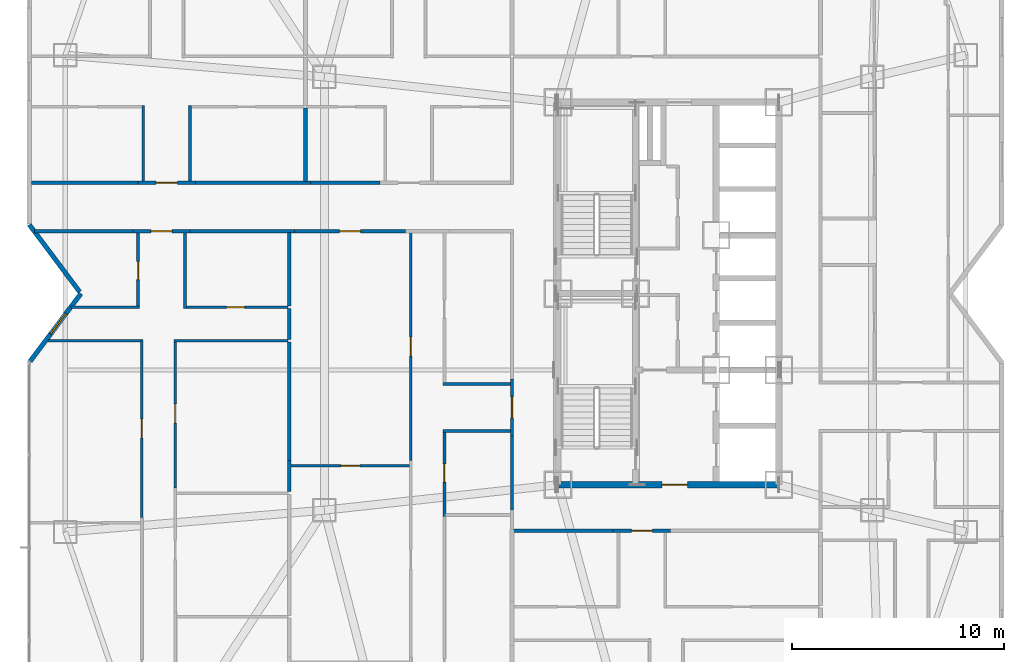
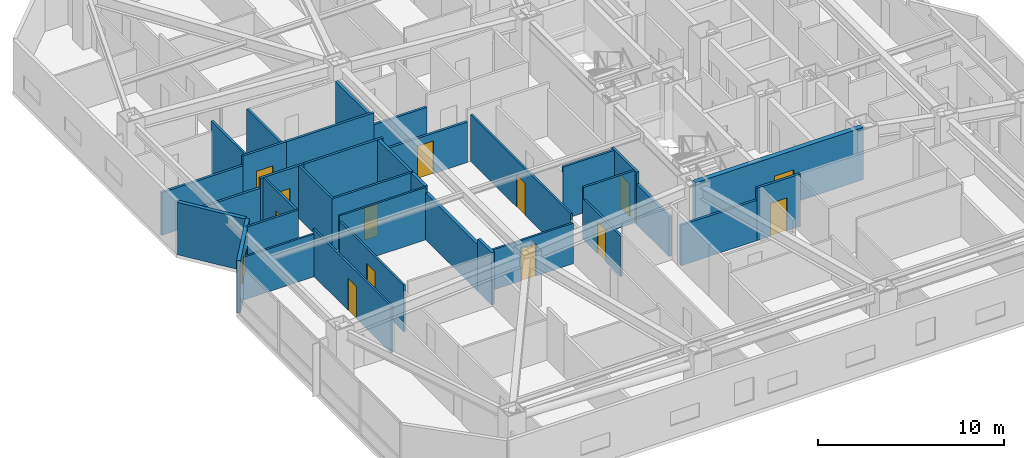
# One storey, part 12 of 18: 35 walls, 13 doors, 1 window, 14 openings.
"""IFC4 building model written with IfcOpenShell, lengths in metres."""

import ifcopenshell
import ifcopenshell.guid

model = None  # the IFC model being written
_history = None  # IfcOwnerHistory: only IFC2X3 demands one
_inside = {}  # id of a spatial element -> (the spatial element, [elements in it])
_under = {}  # id of a project, library or spatial element -> (it, [spatial elements below it])
_declared = {}  # id of a project -> (the project, [libraries it declares])
_typed = {}  # id of a type object -> (the type object, [elements of that type])
_made_of = {}  # id of a material, layer set ... -> (it, [elements and type objects made of it])


def new_model(schema):
    """Start an empty IFC model of exactly this schema.

    Asked for "IFC4X3", IfcOpenShell would pick the latest addendum, in which some entities
    have other attributes; the version numbers below select the first issue.
    IFC2X3 requires an IfcOwnerHistory on every rooted entity: one is made here for all.
    """
    global model, _history
    if schema == "IFC4X3":
        model = ifcopenshell.file(schema_version=(4, 3, 0, 0))
    else:
        model = ifcopenshell.file(schema=schema)
    _inside.clear()
    _under.clear()
    _declared.clear()
    _typed.clear()
    _made_of.clear()
    _history = None
    if model.schema == "IFC2X3":
        org = make("IfcOrganization", Name="unknown")
        user = make(
            "IfcPersonAndOrganization",
            ThePerson=make("IfcPerson", FamilyName="unknown"),
            TheOrganization=org,
        )
        app = make(
            "IfcApplication",
            ApplicationDeveloper=org,
            Version="unknown",
            ApplicationFullName="unknown",
            ApplicationIdentifier="unknown",
        )
        _history = make(
            "IfcOwnerHistory",
            OwningUser=user,
            OwningApplication=app,
            ChangeAction="ADDED",
            CreationDate=0,
        )
    return model


def make(cls, **values):
    """One entity of the class cls with the attributes given. An attribute that is None is left unset."""
    return model.create_entity(
        cls, **{name: value for name, value in values.items() if value is not None}
    )


def rooted(cls, **values):
    """An entity with a GlobalId (a new one), such as an element, a storey or a relation."""
    return make(cls, GlobalId=ifcopenshell.guid.new(), OwnerHistory=_history, **values)


def si_unit(unit_type, name, prefix=None):
    """IfcSIUnit, for example si_unit("LENGTHUNIT", "METRE", prefix="MILLI")."""
    return make("IfcSIUnit", UnitType=unit_type, Prefix=prefix, Name=name)


def assignment(units):
    """IfcUnitAssignment: the units of a project."""
    return None if units is None else make("IfcUnitAssignment", Units=units)


def point(xyz):
    """IfcCartesianPoint."""
    return None if xyz is None else make("IfcCartesianPoint", Coordinates=xyz)


def direction(xyz):
    """IfcDirection."""
    return None if xyz is None else make("IfcDirection", DirectionRatios=xyz)


def frame(location, z_axis=None, x_axis=None):
    """IfcAxis2Placement3D, a coordinate frame: its origin and axes. An axis left out is left unset."""
    return make(
        "IfcAxis2Placement3D",
        Location=point(location),
        Axis=direction(z_axis),
        RefDirection=direction(x_axis),
    )


def frame_2d(location, x_axis=None):
    """IfcAxis2Placement2D, a coordinate frame in the plane: its origin and x axis."""
    return make(
        "IfcAxis2Placement2D", Location=point(location), RefDirection=direction(x_axis)
    )


def origin():
    """The frame at (0, 0, 0) with its axes left unset."""
    return frame((0.0, 0.0, 0.0))


def place(relative_to, where):
    """IfcLocalPlacement: puts the frame where relative to a parent placement (None: the world)."""
    return make(
        "IfcLocalPlacement", PlacementRelTo=relative_to, RelativePlacement=where
    )


def context(
    kind, dimensions, precision=None, world=None, true_north=None, identifier=None
):
    """IfcGeometricRepresentationContext, for example the 3D "Model" context."""
    return make(
        "IfcGeometricRepresentationContext",
        ContextIdentifier=identifier,
        ContextType=kind,
        CoordinateSpaceDimension=dimensions,
        Precision=precision,
        WorldCoordinateSystem=world,
        TrueNorth=true_north,
    )


def subcontext(parent, identifier, kind, view, scale=None):
    """IfcGeometricRepresentationSubContext, for example "Body" below "Model"."""
    return make(
        "IfcGeometricRepresentationSubContext",
        ContextIdentifier=identifier,
        ContextType=kind,
        ParentContext=parent,
        TargetScale=scale,
        TargetView=view,
    )


def project(units=None, contexts=None):
    """IfcProject with its units and contexts."""
    return rooted(
        "IfcProject",
        Name="project",
        RepresentationContexts=contexts,
        UnitsInContext=assignment(units),
    )


def spatial(cls, under=None, at=None, **own):
    """A site, building, storey or space (cls), placed at a placement, below another one or the project."""
    s = rooted(cls, ObjectPlacement=at, **own)
    if under is not None:
        _under.setdefault(under.id(), (under, []))[1].append(s)
    return s


def profile(cls, at=None, kind="AREA", **sizes):
    """A parametric profile (cls). Its sizes go by their IFC names, for example OverallWidth=200.0."""
    return make(cls, ProfileType=kind, Position=at, **sizes)


def rectangle(**sizes):
    """IfcRectangleProfileDef."""
    return profile("IfcRectangleProfileDef", **sizes)


def extrude(swept, where, along, depth):
    """IfcExtrudedAreaSolid: the profile swept, set in the frame where, extruded along a direction by depth."""
    return make(
        "IfcExtrudedAreaSolid",
        SweptArea=swept,
        Position=where,
        ExtrudedDirection=direction(along),
        Depth=depth,
    )


def shape(context_of_items, identifier, shape_type, items):
    """IfcShapeRepresentation: the items that make up one representation, for example the "Body"."""
    return make(
        "IfcShapeRepresentation",
        ContextOfItems=context_of_items,
        RepresentationIdentifier=identifier,
        RepresentationType=shape_type,
        Items=items,
    )


def material(Name=None, Category=None):
    """IfcMaterial."""
    return make("IfcMaterial", Name=Name, Category=Category)


def layer(
    of_material, thickness, ventilated=None, Name=None, Category=None, Priority=None
):
    """IfcMaterialLayer: one layer of a wall or slab, of a material (None: an air gap)."""
    return make(
        "IfcMaterialLayer",
        Material=of_material,
        LayerThickness=thickness,
        IsVentilated=ventilated,
        Name=Name,
        Category=Category,
        Priority=Priority,
    )


def layer_set(layers, Name=None):
    """IfcMaterialLayerSet."""
    return make("IfcMaterialLayerSet", MaterialLayers=layers, LayerSetName=Name)


def made_of(thing, what):
    """Note that an element or type object is made of a material, layer set ...; save() writes the relation."""
    if what is not None:
        _made_of.setdefault(what.id(), (what, []))[1].append(thing)
    return thing


def type_object(cls, material=None, **own):
    """A type object (cls), such as IfcWallType, which elements share."""
    return made_of(rooted(cls, **own), material)


def element(
    cls,
    number,
    at=None,
    inside=None,
    cuts=None,
    type_object=None,
    material=None,
    context=None,
    identifier="Body",
    shape_type=None,
    held_by="IfcProductDefinitionShape",
    body=None,
    shapes=None,
    **own,
):
    """One element of the class cls, such as IfcWall. Its Tag is "e" and its number.

    at: its placement. inside: the storey or other place that contains it. cuts: it is an
    opening in that element (IfcRelVoidsElement). A single representation is given by context,
    identifier, shape_type and body (its items); several are given by shapes. held_by: the class
    of the entity that holds the representations. save() writes the other relations.
    """
    e = rooted(cls, Tag="e%d" % number, ObjectPlacement=at, **own)
    if body is not None:
        shapes = [shape(context, identifier, shape_type, body)]
    if shapes is not None:
        e.Representation = make(held_by, Representations=shapes)
    if inside is not None:
        _inside.setdefault(inside.id(), (inside, []))[1].append(e)
    if cuts is not None:
        rooted(
            "IfcRelVoidsElement", RelatingBuildingElement=cuts, RelatedOpeningElement=e
        )
    if type_object is not None:
        _typed.setdefault(type_object.id(), (type_object, []))[1].append(e)
    return made_of(e, material)


def fill(opening, filler):
    """IfcRelFillsElement: the door or window that sits in an opening."""
    return rooted(
        "IfcRelFillsElement",
        RelatingOpeningElement=opening,
        RelatedBuildingElement=filler,
    )


def aggregate(whole, parts):
    """IfcRelAggregates: a whole, such as a stair, and the parts it consists of."""
    return rooted("IfcRelAggregates", RelatingObject=whole, RelatedObjects=parts)


def save(model, path):
    """Write the relations noted so far, then the file.

    IfcRelAggregates (storeys below a building ...), IfcRelContainedInSpatialStructure (elements
    in a storey), IfcRelDefinesByType, IfcRelAssociatesMaterial and IfcRelDeclares: one each for
    every whole, place, type object, material and project.
    """
    for whole, parts in _under.values():
        aggregate(whole, parts)
    for where, things in _inside.values():
        rooted(
            "IfcRelContainedInSpatialStructure",
            RelatedElements=things,
            RelatingStructure=where,
        )
    for kind, things in _typed.values():
        rooted("IfcRelDefinesByType", RelatedObjects=things, RelatingType=kind)
    for what, things in _made_of.values():
        rooted("IfcRelAssociatesMaterial", RelatedObjects=things, RelatingMaterial=what)
    for by, libraries in _declared.values():
        rooted("IfcRelDeclares", RelatingContext=by, RelatedDefinitions=libraries)
    model.write(path)


model = new_model("IFC4")

# Units and contexts
model_context = context("Model", 3, precision=1e-05, world=origin(), true_north=direction((0.0, 1.0)))
body_context = subcontext(model_context, "Body", "Model", "MODEL_VIEW")
ifc_project = project(units=[si_unit("LENGTHUNIT", "METRE"), si_unit("AREAUNIT", "SQUARE_METRE"), si_unit("VOLUMEUNIT", "CUBIC_METRE"), si_unit("PLANEANGLEUNIT", "RADIAN"), si_unit("MASSUNIT", "GRAM", prefix="KILO")], contexts=[model_context])

# Site, building, storey
site_placement = place(None, origin())
site = spatial("IfcSite", under=ifc_project, at=site_placement, CompositionType="ELEMENT")
building_placement = place(site_placement, origin())
building = spatial("IfcBuilding", under=site, at=building_placement, Name="Khamvora Tower", CompositionType="ELEMENT")
storey_placement = place(building_placement, frame((0.0, 0.0, 47.89990234375)))
storey = spatial("IfcBuildingStorey", under=building, at=storey_placement, Name="L11", CompositionType="ELEMENT", Elevation=47.89990234375)

# Wall, opening, door
ifc_material_1 = material(Name="Concrete C50/60", Category="concrete")
ifc_layer_1 = layer(ifc_material_1, 0.300048828125)
ifc_layer_set_1 = layer_set([ifc_layer_1], Name="Concrete C50/60")
wall_type_1 = type_object("IfcWallType", Name="WAL-CORE-300", PredefinedType="SHEAR", material=ifc_layer_set_1)
wall_1_placement = place(storey_placement, frame((29.0, 19.0, 0.0), z_axis=(0.0, 0.0, 1.0), x_axis=(1.0, 0.0, 0.0)))
wall_1 = element("IfcWall", 1, at=wall_1_placement, inside=storey, type_object=wall_type_1, Name="L11 central core south wall", PredefinedType="SHEAR", context=body_context, shape_type="SweptSolid", body=[
    extrude(rectangle(XDim=10.39990234375, YDim=0.300048828125, at=frame_2d((5.199951171875, 0.0))), origin(), (0.0, 0.0, 1.0), 3.43017578125),
])
opening_1_placement = place(wall_1_placement, frame((4.89990234375, 0.0, 0.0)))
opening_1 = element("IfcOpeningElement", 2, at=opening_1_placement, cuts=wall_1, Name="Opening D-CR1", PredefinedType="OPENING", context=body_context, shape_type="SweptSolid", body=[
    extrude(rectangle(XDim=1.199951171875, YDim=2.14990234375, at=frame_2d((0.60009765625, 1.074951171875))), frame((0.0, 0.159912109375, 0.0), z_axis=(0.0, -1.0, 0.0), x_axis=(1.0, 0.0, 0.0)), (0.0, 0.0, 1.0), 0.320068359375),
])
ifc_material_2 = material(Name="Powder-Coated Steel and Hardwood Leaf", Category="steel")
door_type_1 = type_object("IfcDoorType", Name="DOR-CORR-1200", OperationType="NOTDEFINED", PredefinedType="DOOR", material=ifc_material_2)
door_1_placement = place(opening_1_placement, origin())
door_1 = element("IfcDoor", 3, at=door_1_placement, inside=storey, type_object=door_type_1, Name="L11 south core lobby to corridor fire door", OperationType="SINGLE_SWING_RIGHT", OverallHeight=2.14990234375, OverallWidth=1.199951171875, PredefinedType="DOOR", context=body_context, shape_type="SweptSolid", body=[
    extrude(rectangle(XDim=1.199951171875, YDim=2.14990234375, at=frame_2d((0.60009765625, 1.074951171875))), frame((0.0, 0.02490234375, 0.0), z_axis=(0.0, -1.0, 0.0), x_axis=(1.0, 0.0, 0.0)), (0.0, 0.0, 1.0), 0.050048828125),
])
fill(opening_1, door_1)

ifc_material_3 = material(Name="Fire-Rated Drywall and Steel Stud", Category="steel")
ifc_layer_2 = layer(ifc_material_3, 0.14990234375)
ifc_layer_set_2 = layer_set([ifc_layer_2], Name="Fire-Rated Drywall and Steel Stud")
wall_type_2 = type_object("IfcWallType", Name="WAL-CORR-150", PredefinedType="STANDARD", material=ifc_layer_set_2)
wall_2_placement = place(storey_placement, frame((11.681884765625, 30.93505859375, 0.0), z_axis=(0.0, 0.0, 1.0), x_axis=(-1.0, 0.0, 0.0)))
wall_2 = element("IfcWall", 4, at=wall_2_placement, inside=storey, type_object=wall_type_2, Name="L11 interior partition wall 006", PredefinedType="STANDARD", context=body_context, shape_type="SweptSolid", body=[
    extrude(rectangle(XDim=2.697998046875, YDim=0.14990234375, at=frame_2d((1.34912109375, 0.0))), origin(), (0.0, 0.0, 1.0), 3.43017578125),
])
opening_2_placement = place(wall_2_placement, frame((0.84912109375, 0.0, 0.0)))
opening_2 = element("IfcOpeningElement", 5, at=opening_2_placement, cuts=wall_2, Name="Opening D-U1", PredefinedType="OPENING", context=body_context, shape_type="SweptSolid", body=[
    extrude(rectangle(XDim=1.0, YDim=2.14990234375, at=frame_2d((0.5, 1.074951171875))), frame((0.0, 0.0849609375, 0.0), z_axis=(0.0, -1.0, 0.0), x_axis=(1.0, 0.0, 0.0)), (0.0, 0.0, 1.0), 0.169921875),
])
door_type_2 = type_object("IfcDoorType", Name="DOR-UNIT-1000", OperationType="NOTDEFINED", PredefinedType="DOOR", material=ifc_material_2)
door_2_placement = place(opening_2_placement, origin())
door_2 = element("IfcDoor", 6, at=door_2_placement, inside=storey, type_object=door_type_2, Name="L11 interior door COR-11WA1H", OperationType="SINGLE_SWING_RIGHT", OverallHeight=2.14990234375, OverallWidth=1.0, PredefinedType="DOOR", context=body_context, shape_type="SweptSolid", body=[
    extrude(rectangle(XDim=1.0, YDim=2.14990234375, at=frame_2d((0.5, 1.074951171875))), frame((0.0, 0.02490234375, 0.0), z_axis=(0.0, -1.0, 0.0), x_axis=(1.0, 0.0, 0.0)), (0.0, 0.0, 1.0), 0.050048828125),
])
fill(opening_2, door_2)

# Walls
wall_3_placement = place(storey_placement, frame((8.98388671875, 30.93505859375, 0.0), z_axis=(0.0, 0.0, 1.0), x_axis=(-1.0, 0.0, 0.0)))
element("IfcWall", 7, at=wall_3_placement, inside=storey, type_object=wall_type_2, Name="L11 interior partition wall 007", PredefinedType="STANDARD", context=body_context, shape_type="SweptSolid", body=[
    extrude(rectangle(XDim=4.634765625, YDim=0.14990234375, at=frame_2d((2.3173828125, 0.0))), origin(), (0.0, 0.0, 1.0), 2.802978515625),
])
wall_4_placement = place(storey_placement, frame((16.595947265625, 30.93505859375, 0.0), z_axis=(0.0, 0.0, 1.0), x_axis=(-1.0, 0.0, 0.0)))
element("IfcWall", 8, at=wall_4_placement, inside=storey, type_object=wall_type_2, Name="L11 interior partition wall 008", PredefinedType="STANDARD", context=body_context, shape_type="SweptSolid", body=[
    extrude(rectangle(XDim=4.9140625, YDim=0.14990234375, at=frame_2d((2.45703125, 0.0))), origin(), (0.0, 0.0, 1.0), 3.43017578125),
])

# Wall, opening, door
wall_5_placement = place(storey_placement, frame((26.8349609375, 21.284912109375, 0.0), z_axis=(0.0, 0.0, 1.0), x_axis=(0.0, 1.0, 0.0)))
wall_5 = element("IfcWall", 9, at=wall_5_placement, inside=storey, type_object=wall_type_2, Name="L11 interior partition wall 010", PredefinedType="STANDARD", context=body_context, shape_type="SweptSolid", body=[
    extrude(rectangle(XDim=2.697998046875, YDim=0.14990234375, at=frame_2d((1.34912109375, 0.0))), origin(), (0.0, 0.0, 1.0), 3.43017578125),
])
opening_3_placement = place(wall_5_placement, frame((0.84912109375, 0.0, 0.0)))
opening_3 = element("IfcOpeningElement", 10, at=opening_3_placement, cuts=wall_5, Name="Opening D-U1", PredefinedType="OPENING", context=body_context, shape_type="SweptSolid", body=[
    extrude(rectangle(XDim=1.0, YDim=2.14990234375, at=frame_2d((0.5, 1.074951171875))), frame((0.0, 0.0849609375, 0.0), z_axis=(0.0, -1.0, 0.0), x_axis=(1.0, 0.0, 0.0)), (0.0, 0.0, 1.0), 0.169921875),
])
door_3_placement = place(opening_3_placement, origin())
door_3 = element("IfcDoor", 11, at=door_3_placement, inside=storey, type_object=door_type_2, Name="L11 interior door COR-11WA2H", OperationType="SINGLE_SWING_LEFT", OverallHeight=2.14990234375, OverallWidth=1.0, PredefinedType="DOOR", context=body_context, shape_type="SweptSolid", body=[
    extrude(rectangle(XDim=1.0, YDim=2.14990234375, at=frame_2d((0.5, 1.074951171875))), frame((0.0, 0.02490234375, 0.0), z_axis=(0.0, -1.0, 0.0), x_axis=(1.0, 0.0, 0.0)), (0.0, 0.0, 1.0), 0.050048828125),
])
fill(opening_3, door_3)

# Wall
wall_6_placement = place(storey_placement, frame((26.8349609375, 17.818115234375, 0.0), z_axis=(0.0, 0.0, 1.0), x_axis=(0.0, 1.0, 0.0)))
element("IfcWall", 12, at=wall_6_placement, inside=storey, type_object=wall_type_2, Name="L11 interior partition wall 012", PredefinedType="STANDARD", context=body_context, shape_type="SweptSolid", body=[
    extrude(rectangle(XDim=3.466796875, YDim=0.14990234375, at=frame_2d((1.7333984375, 0.0))), origin(), (0.0, 0.0, 1.0), 2.647216796875),
])

# Wall, opening, door
wall_7_placement = place(storey_placement, frame((21.821044921875, 30.93505859375, 0.0), z_axis=(0.0, 0.0, 1.0), x_axis=(-1.0, 0.0, 0.0)))
wall_7 = element("IfcWall", 13, at=wall_7_placement, inside=storey, type_object=wall_type_2, Name="L11 interior partition wall 015", PredefinedType="STANDARD", context=body_context, shape_type="SweptSolid", body=[
    extrude(rectangle(XDim=5.22509765625, YDim=0.14990234375, at=frame_2d((2.612548828125, 0.0))), origin(), (0.0, 0.0, 1.0), 2.647216796875),
])
opening_4_placement = place(wall_7_placement, frame((2.112060546875, 0.0, 0.0)))
opening_4 = element("IfcOpeningElement", 14, at=opening_4_placement, cuts=wall_7, Name="Opening D-U1", PredefinedType="OPENING", context=body_context, shape_type="SweptSolid", body=[
    extrude(rectangle(XDim=1.0, YDim=2.14990234375, at=frame_2d((0.5, 1.074951171875))), frame((0.0, 0.0849609375, 0.0), z_axis=(0.0, -1.0, 0.0), x_axis=(1.0, 0.0, 0.0)), (0.0, 0.0, 1.0), 0.169921875),
])
door_4_placement = place(opening_4_placement, origin())
door_4 = element("IfcDoor", 15, at=door_4_placement, inside=storey, type_object=door_type_2, Name="L11 interior door COR-11WA2R3", OperationType="SINGLE_SWING_RIGHT", OverallHeight=2.14990234375, OverallWidth=1.0, PredefinedType="DOOR", context=body_context, shape_type="SweptSolid", body=[
    extrude(rectangle(XDim=1.0, YDim=2.14990234375, at=frame_2d((0.5, 1.074951171875))), frame((0.0, 0.02490234375, 0.0), z_axis=(0.0, -1.0, 0.0), x_axis=(1.0, 0.0, 0.0)), (0.0, 0.0, 1.0), 0.050048828125),
])
fill(opening_4, door_4)

wall_8_placement = place(storey_placement, frame((9.22607421875, 33.215087890625, 0.0), z_axis=(0.0, 0.0, 1.0), x_axis=(1.0, 0.0, 0.0)))
wall_8 = element("IfcWall", 16, at=wall_8_placement, inside=storey, type_object=wall_type_2, Name="L11 interior partition wall 016", PredefinedType="STANDARD", context=body_context, shape_type="SweptSolid", body=[
    extrude(rectangle(XDim=2.697998046875, YDim=0.14990234375, at=frame_2d((1.34912109375, 0.0))), origin(), (0.0, 0.0, 1.0), 3.43017578125),
])
opening_5_placement = place(wall_8_placement, frame((0.84912109375, 0.0, 0.0)))
opening_5 = element("IfcOpeningElement", 17, at=opening_5_placement, cuts=wall_8, Name="Opening D-U1", PredefinedType="OPENING", context=body_context, shape_type="SweptSolid", body=[
    extrude(rectangle(XDim=1.0, YDim=2.14990234375, at=frame_2d((0.5, 1.074951171875))), frame((0.0, 0.0849609375, 0.0), z_axis=(0.0, -1.0, 0.0), x_axis=(1.0, 0.0, 0.0)), (0.0, 0.0, 1.0), 0.169921875),
])
door_5_placement = place(opening_5_placement, origin())
door_5 = element("IfcDoor", 18, at=door_5_placement, inside=storey, type_object=door_type_2, Name="L11 interior door COR-11WBH", OperationType="SINGLE_SWING_LEFT", OverallHeight=2.14990234375, OverallWidth=1.0, PredefinedType="DOOR", context=body_context, shape_type="SweptSolid", body=[
    extrude(rectangle(XDim=1.0, YDim=2.14990234375, at=frame_2d((0.5, 1.074951171875))), frame((0.0, 0.02490234375, 0.0), z_axis=(0.0, -1.0, 0.0), x_axis=(1.0, 0.0, 0.0)), (0.0, 0.0, 1.0), 0.050048828125),
])
fill(opening_5, door_5)

# Walls
wall_9_placement = place(storey_placement, frame((4.2119140625, 33.215087890625, 0.0), z_axis=(0.0, 0.0, 1.0), x_axis=(1.0, 0.0, 0.0)))
element("IfcWall", 19, at=wall_9_placement, inside=storey, type_object=wall_type_2, Name="L11 interior partition wall 017", PredefinedType="STANDARD", context=body_context, shape_type="SweptSolid", body=[
    extrude(rectangle(XDim=5.01416015625, YDim=0.14990234375, at=frame_2d((2.507080078125, 0.0))), origin(), (0.0, 0.0, 1.0), 2.802978515625),
])
wall_10_placement = place(storey_placement, frame((11.924072265625, 33.215087890625, 0.0), z_axis=(0.0, 0.0, 1.0), x_axis=(1.0, 0.0, 0.0)))
element("IfcWall", 20, at=wall_10_placement, inside=storey, type_object=wall_type_2, Name="L11 interior partition wall 018", PredefinedType="STANDARD", context=body_context, shape_type="SweptSolid", body=[
    extrude(rectangle(XDim=5.429931640625, YDim=0.14990234375, at=frame_2d((2.71484375, 0.0))), origin(), (0.0, 0.0, 1.0), 3.43017578125),
])
wall_11_placement = place(storey_placement, frame((17.35400390625, 33.215087890625, 0.0), z_axis=(0.0, 0.0, 1.0), x_axis=(1.0, 0.0, 0.0)))
element("IfcWall", 21, at=wall_11_placement, inside=storey, type_object=wall_type_2, Name="L11 interior partition wall 021", PredefinedType="STANDARD", context=body_context, shape_type="SweptSolid", body=[
    extrude(rectangle(XDim=3.26708984375, YDim=0.14990234375, at=frame_2d((1.633544921875, 0.0))), origin(), (0.0, 0.0, 1.0), 2.647216796875),
])

# Wall, opening, door
wall_12_placement = place(storey_placement, frame((34.299072265625, 16.8349609375, 0.0), z_axis=(0.0, 0.0, 1.0), x_axis=(-1.0, 0.0, 0.0)))
wall_12 = element("IfcWall", 22, at=wall_12_placement, inside=storey, type_object=wall_type_2, Name="L11 interior partition wall 024", PredefinedType="STANDARD", context=body_context, shape_type="SweptSolid", body=[
    extrude(rectangle(XDim=2.697998046875, YDim=0.14990234375, at=frame_2d((1.34912109375, 0.0))), origin(), (0.0, 0.0, 1.0), 3.43017578125),
])
opening_6_placement = place(wall_12_placement, frame((0.84912109375, 0.0, 0.0)))
opening_6 = element("IfcOpeningElement", 23, at=opening_6_placement, cuts=wall_12, Name="Opening D-U1", PredefinedType="OPENING", context=body_context, shape_type="SweptSolid", body=[
    extrude(rectangle(XDim=1.0, YDim=2.14990234375, at=frame_2d((0.5, 1.074951171875))), frame((0.0, 0.0849609375, 0.0), z_axis=(0.0, -1.0, 0.0), x_axis=(1.0, 0.0, 0.0)), (0.0, 0.0, 1.0), 0.169921875),
])
door_6_placement = place(opening_6_placement, origin())
door_6 = element("IfcDoor", 24, at=door_6_placement, inside=storey, type_object=door_type_2, Name="L11 interior door COR-11SAH", OperationType="SINGLE_SWING_LEFT", OverallHeight=2.14990234375, OverallWidth=1.0, PredefinedType="DOOR", context=body_context, shape_type="SweptSolid", body=[
    extrude(rectangle(XDim=1.0, YDim=2.14990234375, at=frame_2d((0.5, 1.074951171875))), frame((0.0, 0.02490234375, 0.0), z_axis=(0.0, -1.0, 0.0), x_axis=(1.0, 0.0, 0.0)), (0.0, 0.0, 1.0), 0.050048828125),
])
fill(opening_6, door_6)

# Walls
wall_13_placement = place(storey_placement, frame((31.60107421875, 16.8349609375, 0.0), z_axis=(0.0, 0.0, 1.0), x_axis=(-1.0, 0.0, 0.0)))
element("IfcWall", 25, at=wall_13_placement, inside=storey, type_object=wall_type_2, Name="L11 interior partition wall 025", PredefinedType="STANDARD", context=body_context, shape_type="SweptSolid", body=[
    extrude(rectangle(XDim=4.701171875, YDim=0.14990234375, at=frame_2d((2.3505859375, 0.0))), origin(), (0.0, 0.0, 1.0), 2.647216796875),
])
ifc_material_4 = material(Name="Acoustic Double-Stud Fire Wall", Category="gypsum")
ifc_layer_3 = layer(ifc_material_4, 0.179931640625)
ifc_layer_set_3 = layer_set([ifc_layer_3], Name="Acoustic Double-Stud Fire Wall")
wall_type_3 = type_object("IfcWallType", Name="WAL-CORR-180", PredefinedType="STANDARD", material=ifc_layer_set_3)
wall_14_placement = place(storey_placement, frame((16.345947265625, 27.2900390625, 0.0), z_axis=(0.0, 0.0, 1.0), x_axis=(0.0, -1.0, 0.0)))
element("IfcWall", 26, at=wall_14_placement, inside=storey, type_object=wall_type_3, Name="L11 interior partition wall 053", PredefinedType="STANDARD", context=body_context, shape_type="SweptSolid", body=[
    extrude(rectangle(XDim=1.449951171875, YDim=0.179931640625, at=frame_2d((0.72509765625, 0.0))), origin(), (0.0, 0.0, 1.0), 3.43017578125),
])
wall_15_placement = place(storey_placement, frame((16.345947265625, 30.867919921875, 0.0), z_axis=(0.0, 0.0, 1.0), x_axis=(0.0, -1.0, 0.0)))
element("IfcWall", 27, at=wall_15_placement, inside=storey, type_object=wall_type_3, Name="L11 interior partition wall 054", PredefinedType="STANDARD", context=body_context, shape_type="SweptSolid", body=[
    extrude(rectangle(XDim=3.447998046875, YDim=0.179931640625, at=frame_2d((1.72412109375, 0.0))), origin(), (0.0, 0.0, 1.0), 3.43017578125),
])
wall_16_placement = place(storey_placement, frame((16.345947265625, 20.135986328125, 0.0), z_axis=(0.0, 0.0, 1.0), x_axis=(0.0, -1.0, 0.0)))
element("IfcWall", 28, at=wall_16_placement, inside=storey, type_object=wall_type_3, Name="L11 interior partition wall 061", PredefinedType="STANDARD", context=body_context, shape_type="SweptSolid", body=[
    extrude(rectangle(XDim=1.467041015625, YDim=0.179931640625, at=frame_2d((0.7333984375, 0.0))), origin(), (0.0, 0.0, 1.0), 3.43017578125),
])
wall_17_placement = place(storey_placement, frame((16.345947265625, 25.7099609375, 0.0), z_axis=(0.0, 0.0, 1.0), x_axis=(0.0, -1.0, 0.0)))
element("IfcWall", 29, at=wall_17_placement, inside=storey, type_object=wall_type_3, Name="L11 interior partition wall 062", PredefinedType="STANDARD", context=body_context, shape_type="SweptSolid", body=[
    extrude(rectangle(XDim=5.573974609375, YDim=0.179931640625, at=frame_2d((2.787109375, 0.0))), origin(), (0.0, 0.0, 1.0), 3.065185546875),
])
wall_18_placement = place(storey_placement, frame((17.10498046875, 36.72998046875, 0.0), z_axis=(0.0, 0.0, 1.0), x_axis=(0.0, -1.0, 0.0)))
element("IfcWall", 30, at=wall_18_placement, inside=storey, type_object=wall_type_3, Name="L11 interior partition wall 088", PredefinedType="STANDARD", context=body_context, shape_type="SweptSolid", body=[
    extrude(rectangle(XDim=3.447998046875, YDim=0.179931640625, at=frame_2d((1.72412109375, 0.0))), origin(), (0.0, 0.0, 1.0), 3.43017578125),
])

# Wall, opening, window
ifc_material_5 = material(Name="Precast concrete C40/50", Category="concrete")
ifc_layer_4 = layer(ifc_material_5, 0.219970703125)
ifc_layer_set_4 = layer_set([ifc_layer_4], Name="Precast concrete C40/50")
wall_type_4 = type_object("IfcWallType", Name="WAL-EXT-220", PredefinedType="STANDARD", material=ifc_layer_set_4)
wall_19_placement = place(storey_placement, frame((4.14501953125, 24.80908203125, 0.0), z_axis=(0.0, 0.0, 1.0), x_axis=(0.599823674734, 0.800132213592, 0.0)))
wall_19 = element("IfcWall", 31, at=wall_19_placement, inside=storey, type_object=wall_type_4, Name="L11 exterior facade wall 03.1", PredefinedType="STANDARD", context=body_context, shape_type="SweptSolid", body=[
    extrude(rectangle(XDim=3.988037109375, YDim=0.219970703125, at=frame_2d((1.994140625, 0.0))), origin(), (0.0, 0.0, 1.0), 3.43017578125),
])
opening_7_placement = place(wall_19_placement, frame((1.614013671875, 0.0, 0.780029296875)))
opening_7 = element("IfcOpeningElement", 32, at=opening_7_placement, cuts=wall_19, Name="Opening WN-03", PredefinedType="OPENING", context=body_context, shape_type="SweptSolid", body=[
    extrude(rectangle(XDim=1.199951171875, YDim=1.5, at=frame_2d((0.60009765625, 0.75))), frame((0.0, 0.119873046875, 0.0), z_axis=(0.0, -1.0, 0.0), x_axis=(1.0, 0.0, 0.0)), (0.0, 0.0, 1.0), 0.239990234375),
])
ifc_material_6 = material(Name="Low-E Laminated Double Glazing", Category="glass")
window_type = type_object("IfcWindowType", Name="WIN-VIS-1200x1500", PartitioningType="SINGLE_PANEL", PredefinedType="WINDOW", material=ifc_material_6)
window_placement = place(opening_7_placement, origin())
window = element("IfcWindow", 33, at=window_placement, inside=storey, type_object=window_type, Name="L11 vision window 03.1.01", OverallHeight=1.5, OverallWidth=1.199951171875, PartitioningType="SINGLE_PANEL", PredefinedType="WINDOW", context=body_context, shape_type="SweptSolid", body=[
    extrude(rectangle(XDim=1.199951171875, YDim=1.5, at=frame_2d((0.60009765625, 0.75))), frame((0.0, 0.030029296875, 0.0), z_axis=(0.0, -1.0, 0.0), x_axis=(1.0, 0.0, 0.0)), (0.0, 0.0, 1.0), 0.06005859375),
])
fill(opening_7, window)

# Wall
wall_20_placement = place(storey_placement, frame((6.47998046875, 28.076904296875, 0.0), z_axis=(0.0, 0.0, 1.0), x_axis=(-0.599960442794, 0.800029666377, 0.0)))
element("IfcWall", 34, at=wall_20_placement, inside=storey, type_object=wall_type_4, Name="L11 exterior facade wall 04.1", PredefinedType="STANDARD", context=body_context, shape_type="SweptSolid", body=[
    extrude(rectangle(XDim=3.949951171875, YDim=0.219970703125, at=frame_2d((1.97509765625, 0.0))), origin(), (0.0, 0.0, 1.0), 3.43017578125),
])

# Wall, opening, door
ifc_material_7 = material(Name="Gypsum Plasterboard Partition", Category="gypsum")
ifc_layer_5 = layer(ifc_material_7, 0.1201171875)
ifc_layer_set_5 = layer_set([ifc_layer_5], Name="Gypsum Plasterboard Partition")
wall_type_5 = type_object("IfcWallType", Name="WAL-PART-120", PredefinedType="PARTITIONING", material=ifc_layer_set_5)
wall_21_placement = place(storey_placement, frame((9.410888671875, 17.462890625, 0.0), z_axis=(0.0, 0.0, 1.0), x_axis=(0.0, 1.0, 0.0)))
wall_21 = element("IfcWall", 35, at=wall_21_placement, inside=storey, type_object=wall_type_5, Name="L11 interior partition wall 047", PredefinedType="PARTITIONING", context=body_context, shape_type="SweptSolid", body=[
    extrude(rectangle(XDim=8.377197265625, YDim=0.1201171875, at=frame_2d((4.1884765625, 0.0))), origin(), (0.0, 0.0, 1.0), 3.065185546875),
])
opening_8_placement = place(wall_21_placement, frame((3.739013671875, 0.0, 0.0)))
opening_8 = element("IfcOpeningElement", 36, at=opening_8_placement, cuts=wall_21, Name="Opening D-RM1", PredefinedType="OPENING", context=body_context, shape_type="SweptSolid", body=[
    extrude(rectangle(XDim=0.89990234375, YDim=2.10009765625, at=frame_2d((0.449951171875, 1.050048828125))), frame((0.0, 0.070068359375, 0.0), z_axis=(0.0, -1.0, 0.0), x_axis=(1.0, 0.0, 0.0)), (0.0, 0.0, 1.0), 0.14013671875),
])
door_type_3 = type_object("IfcDoorType", Name="DOR-ROOM-900", OperationType="NOTDEFINED", PredefinedType="DOOR", material=ifc_material_2)
door_7_placement = place(opening_8_placement, origin())
door_7 = element("IfcDoor", 37, at=door_7_placement, inside=storey, type_object=door_type_3, Name="L11 interior door 11WA1H-11WA1R2", OperationType="SINGLE_SWING_RIGHT", OverallHeight=2.10009765625, OverallWidth=0.89990234375, PredefinedType="DOOR", context=body_context, shape_type="SweptSolid", body=[
    extrude(rectangle(XDim=0.89990234375, YDim=2.10009765625, at=frame_2d((0.449951171875, 1.050048828125))), frame((0.0, 0.02490234375, 0.0), z_axis=(0.0, -1.0, 0.0), x_axis=(1.0, 0.0, 0.0)), (0.0, 0.0, 1.0), 0.050048828125),
])
fill(opening_8, door_7)

# Walls
wall_22_placement = place(storey_placement, frame((9.35693359375, 25.77490234375, 0.0), z_axis=(0.0, 0.0, 1.0), x_axis=(-1.0, 0.0, 0.0)))
element("IfcWall", 38, at=wall_22_placement, inside=storey, type_object=wall_type_5, Name="L11 interior partition wall 048", PredefinedType="PARTITIONING", context=body_context, shape_type="SweptSolid", body=[
    extrude(rectangle(XDim=4.3759765625, YDim=0.1201171875, at=frame_2d((2.18798828125, 0.0))), origin(), (0.0, 0.0, 1.0), 2.802978515625),
])
wall_23_placement = place(storey_placement, frame((16.281005859375, 25.77490234375, 0.0), z_axis=(0.0, 0.0, 1.0), x_axis=(-1.0, 0.0, 0.0)))
element("IfcWall", 39, at=wall_23_placement, inside=storey, type_object=wall_type_5, Name="L11 interior partition wall 051", PredefinedType="PARTITIONING", context=body_context, shape_type="SweptSolid", body=[
    extrude(rectangle(XDim=5.364990234375, YDim=0.1201171875, at=frame_2d((2.6826171875, 0.0))), origin(), (0.0, 0.0, 1.0), 3.43017578125),
])

# Wall, opening, door
wall_24_placement = place(storey_placement, frame((10.98095703125, 25.840087890625, 0.0), z_axis=(0.0, 0.0, 1.0), x_axis=(0.0, -1.0, 0.0)))
wall_24 = element("IfcWall", 40, at=wall_24_placement, inside=storey, type_object=wall_type_5, Name="L11 interior partition wall 052", PredefinedType="PARTITIONING", context=body_context, shape_type="SweptSolid", body=[
    extrude(rectangle(XDim=6.987060546875, YDim=0.1201171875, at=frame_2d((3.49365234375, 0.0))), origin(), (0.0, 0.0, 1.0), 3.065185546875),
])
opening_9_placement = place(wall_24_placement, frame((3.04296875, 0.0, 0.0)))
opening_9 = element("IfcOpeningElement", 41, at=opening_9_placement, cuts=wall_24, Name="Opening D-RM1", PredefinedType="OPENING", context=body_context, shape_type="SweptSolid", body=[
    extrude(rectangle(XDim=0.89990234375, YDim=2.10009765625, at=frame_2d((0.449951171875, 1.050048828125))), frame((0.0, 0.070068359375, 0.0), z_axis=(0.0, -1.0, 0.0), x_axis=(1.0, 0.0, 0.0)), (0.0, 0.0, 1.0), 0.14013671875),
])
door_8_placement = place(opening_9_placement, origin())
door_8 = element("IfcDoor", 42, at=door_8_placement, inside=storey, type_object=door_type_3, Name="L11 interior door 11WA1H-11WA1R5", OperationType="SINGLE_SWING_LEFT", OverallHeight=2.10009765625, OverallWidth=0.89990234375, PredefinedType="DOOR", context=body_context, shape_type="SweptSolid", body=[
    extrude(rectangle(XDim=0.89990234375, YDim=2.10009765625, at=frame_2d((0.449951171875, 1.050048828125))), frame((0.0, 0.02490234375, 0.0), z_axis=(0.0, -1.0, 0.0), x_axis=(1.0, 0.0, 0.0)), (0.0, 0.0, 1.0), 0.050048828125),
])
fill(opening_9, door_8)

wall_25_placement = place(storey_placement, frame((22.070068359375, 20.135986328125, 0.0), z_axis=(0.0, 0.0, 1.0), x_axis=(0.0, 1.0, 0.0)))
wall_25 = element("IfcWall", 43, at=wall_25_placement, inside=storey, type_object=wall_type_5, Name="L11 interior partition wall 074", PredefinedType="PARTITIONING", context=body_context, shape_type="SweptSolid", body=[
    extrude(rectangle(XDim=10.73193359375, YDim=0.1201171875, at=frame_2d((5.365966796875, 0.0))), origin(), (0.0, 0.0, 1.0), 3.065185546875),
])
opening_10_placement = place(wall_25_placement, frame((4.916015625, 0.0, 0.0)))
opening_10 = element("IfcOpeningElement", 44, at=opening_10_placement, cuts=wall_25, Name="Opening D-RM1", PredefinedType="OPENING", context=body_context, shape_type="SweptSolid", body=[
    extrude(rectangle(XDim=0.89990234375, YDim=2.10009765625, at=frame_2d((0.449951171875, 1.050048828125))), frame((0.0, 0.070068359375, 0.0), z_axis=(0.0, -1.0, 0.0), x_axis=(1.0, 0.0, 0.0)), (0.0, 0.0, 1.0), 0.14013671875),
])
door_9_placement = place(opening_10_placement, origin())
door_9 = element("IfcDoor", 45, at=door_9_placement, inside=storey, type_object=door_type_3, Name="L11 interior door 11WA2H-11WA2R3", OperationType="SINGLE_SWING_RIGHT", OverallHeight=2.10009765625, OverallWidth=0.89990234375, PredefinedType="DOOR", context=body_context, shape_type="SweptSolid", body=[
    extrude(rectangle(XDim=0.89990234375, YDim=2.10009765625, at=frame_2d((0.449951171875, 1.050048828125))), frame((0.0, 0.02490234375, 0.0), z_axis=(0.0, -1.0, 0.0), x_axis=(1.0, 0.0, 0.0)), (0.0, 0.0, 1.0), 0.050048828125),
])
fill(opening_10, door_9)

wall_26_placement = place(storey_placement, frame((16.427978515625, 19.885986328125, 0.0), z_axis=(0.0, 0.0, 1.0), x_axis=(1.0, 0.0, 0.0)))
wall_26 = element("IfcWall", 46, at=wall_26_placement, inside=storey, type_object=wall_type_5, Name="L11 interior partition wall 076", PredefinedType="PARTITIONING", context=body_context, shape_type="SweptSolid", body=[
    extrude(rectangle(XDim=5.588134765625, YDim=0.1201171875, at=frame_2d((2.7939453125, 0.0))), origin(), (0.0, 0.0, 1.0), 2.647216796875),
])
opening_11_placement = place(wall_26_placement, frame((2.343994140625, 0.0, 0.0)))
opening_11 = element("IfcOpeningElement", 47, at=opening_11_placement, cuts=wall_26, Name="Opening D-RM1", PredefinedType="OPENING", context=body_context, shape_type="SweptSolid", body=[
    extrude(rectangle(XDim=0.89990234375, YDim=2.10009765625, at=frame_2d((0.449951171875, 1.050048828125))), frame((0.0, 0.070068359375, 0.0), z_axis=(0.0, -1.0, 0.0), x_axis=(1.0, 0.0, 0.0)), (0.0, 0.0, 1.0), 0.14013671875),
])
door_10_placement = place(opening_11_placement, origin())
door_10 = element("IfcDoor", 48, at=door_10_placement, inside=storey, type_object=door_type_3, Name="L11 interior door 11WA2R2-11WA2R3", OperationType="SINGLE_SWING_LEFT", OverallHeight=2.10009765625, OverallWidth=0.89990234375, PredefinedType="DOOR", context=body_context, shape_type="SweptSolid", body=[
    extrude(rectangle(XDim=0.89990234375, YDim=2.10009765625, at=frame_2d((0.449951171875, 1.050048828125))), frame((0.0, 0.02490234375, 0.0), z_axis=(0.0, -1.0, 0.0), x_axis=(1.0, 0.0, 0.0)), (0.0, 0.0, 1.0), 0.050048828125),
])
fill(opening_11, door_10)

# Wall
ifc_material_8 = material(Name="Moisture-Resistant Plasterboard Partition", Category="gypsum")
ifc_layer_6 = layer(ifc_material_8, 0.135009765625)
ifc_layer_set_6 = layer_set([ifc_layer_6], Name="Moisture-Resistant Plasterboard Partition")
wall_type_6 = type_object("IfcWallType", Name="WAL-WET-135", PredefinedType="PARTITIONING", material=ifc_layer_set_6)
wall_27_placement = place(storey_placement, frame((6.068115234375, 27.35498046875, 0.0), z_axis=(0.0, 0.0, 1.0), x_axis=(1.0, 0.0, 0.0)))
element("IfcWall", 49, at=wall_27_placement, inside=storey, type_object=wall_type_6, Name="L11 interior partition wall 042", PredefinedType="PARTITIONING", context=body_context, shape_type="SweptSolid", body=[
    extrude(rectangle(XDim=3.22998046875, YDim=0.135009765625, at=frame_2d((1.614990234375, 0.0))), origin(), (0.0, 0.0, 1.0), 3.43017578125),
])

# Wall, opening, door
wall_28_placement = place(storey_placement, frame((9.23291015625, 27.2900390625, 0.0), z_axis=(0.0, 0.0, 1.0), x_axis=(0.0, 1.0, 0.0)))
wall_28 = element("IfcWall", 50, at=wall_28_placement, inside=storey, type_object=wall_type_6, Name="L11 interior partition wall 043", PredefinedType="PARTITIONING", context=body_context, shape_type="SweptSolid", body=[
    extrude(rectangle(XDim=3.577880859375, YDim=0.135009765625, at=frame_2d((1.7890625, 0.0))), origin(), (0.0, 0.0, 1.0), 3.43017578125),
])
opening_12_placement = place(wall_28_placement, frame((1.364013671875, 0.0, 0.0)))
opening_12 = element("IfcOpeningElement", 51, at=opening_12_placement, cuts=wall_28, Name="Opening D-WC1", PredefinedType="OPENING", context=body_context, shape_type="SweptSolid", body=[
    extrude(rectangle(XDim=0.85009765625, YDim=2.10009765625, at=frame_2d((0.425048828125, 1.050048828125))), frame((0.0, 0.077392578125, 0.0), z_axis=(0.0, -1.0, 0.0), x_axis=(1.0, 0.0, 0.0)), (0.0, 0.0, 1.0), 0.155029296875),
])
door_type_4 = type_object("IfcDoorType", Name="DOR-WET-850", OperationType="NOTDEFINED", PredefinedType="DOOR", material=ifc_material_2)
door_11_placement = place(opening_12_placement, origin())
door_11 = element("IfcDoor", 52, at=door_11_placement, inside=storey, type_object=door_type_4, Name="L11 interior door 11WA1H-11WA1B", OperationType="SINGLE_SWING_LEFT", OverallHeight=2.10009765625, OverallWidth=0.85009765625, PredefinedType="DOOR", context=body_context, shape_type="SweptSolid", body=[
    extrude(rectangle(XDim=0.85009765625, YDim=2.10009765625, at=frame_2d((0.425048828125, 1.050048828125))), frame((0.0, 0.02490234375, 0.0), z_axis=(0.0, -1.0, 0.0), x_axis=(1.0, 0.0, 0.0)), (0.0, 0.0, 1.0), 0.050048828125),
])
fill(opening_12, door_11)

# Wall
wall_29_placement = place(storey_placement, frame((11.43310546875, 30.867919921875, 0.0), z_axis=(0.0, 0.0, 1.0), x_axis=(0.0, -1.0, 0.0)))
element("IfcWall", 53, at=wall_29_placement, inside=storey, type_object=wall_type_6, Name="L11 interior partition wall 044", PredefinedType="PARTITIONING", context=body_context, shape_type="SweptSolid", body=[
    extrude(rectangle(XDim=3.577880859375, YDim=0.135009765625, at=frame_2d((1.7890625, 0.0))), origin(), (0.0, 0.0, 1.0), 3.43017578125),
])

# Wall, opening, door
wall_30_placement = place(storey_placement, frame((11.367919921875, 27.35498046875, 0.0), z_axis=(0.0, 0.0, 1.0), x_axis=(1.0, 0.0, 0.0)))
wall_30 = element("IfcWall", 54, at=wall_30_placement, inside=storey, type_object=wall_type_6, Name="L11 interior partition wall 045", PredefinedType="PARTITIONING", context=body_context, shape_type="SweptSolid", body=[
    extrude(rectangle(XDim=4.9130859375, YDim=0.135009765625, at=frame_2d((2.45654296875, 0.0))), origin(), (0.0, 0.0, 1.0), 3.43017578125),
])
opening_13_placement = place(wall_30_placement, frame((2.031982421875, 0.0, 0.0)))
opening_13 = element("IfcOpeningElement", 55, at=opening_13_placement, cuts=wall_30, Name="Opening D-RM2", PredefinedType="OPENING", context=body_context, shape_type="SweptSolid", body=[
    extrude(rectangle(XDim=0.85009765625, YDim=2.10009765625, at=frame_2d((0.425048828125, 1.050048828125))), frame((0.0, 0.077392578125, 0.0), z_axis=(0.0, -1.0, 0.0), x_axis=(1.0, 0.0, 0.0)), (0.0, 0.0, 1.0), 0.155029296875),
])
door_type_5 = type_object("IfcDoorType", Name="DOR-ROOM-850", OperationType="NOTDEFINED", PredefinedType="DOOR", material=ifc_material_2)
door_12_placement = place(opening_13_placement, origin())
door_12 = element("IfcDoor", 56, at=door_12_placement, inside=storey, type_object=door_type_5, Name="L11 interior door 11WA1H-11WA1K", OperationType="SINGLE_SWING_RIGHT", OverallHeight=2.10009765625, OverallWidth=0.85009765625, PredefinedType="DOOR", context=body_context, shape_type="SweptSolid", body=[
    extrude(rectangle(XDim=0.85009765625, YDim=2.10009765625, at=frame_2d((0.425048828125, 1.050048828125))), frame((0.0, 0.02490234375, 0.0), z_axis=(0.0, -1.0, 0.0), x_axis=(1.0, 0.0, 0.0)), (0.0, 0.0, 1.0), 0.050048828125),
])
fill(opening_13, door_12)

# Wall
wall_31_placement = place(storey_placement, frame((26.77001953125, 21.533935546875, 0.0), z_axis=(0.0, 0.0, 1.0), x_axis=(-1.0, 0.0, 0.0)))
element("IfcWall", 57, at=wall_31_placement, inside=storey, type_object=wall_type_6, Name="L11 interior partition wall 068", PredefinedType="PARTITIONING", context=body_context, shape_type="SweptSolid", body=[
    extrude(rectangle(XDim=3.18505859375, YDim=0.135009765625, at=frame_2d((1.592529296875, 0.0))), origin(), (0.0, 0.0, 1.0), 3.43017578125),
])

# Wall, opening, door
wall_32_placement = place(storey_placement, frame((23.64990234375, 21.59912109375, 0.0), z_axis=(0.0, 0.0, 1.0), x_axis=(0.0, -1.0, 0.0)))
wall_32 = element("IfcWall", 58, at=wall_32_placement, inside=storey, type_object=wall_type_6, Name="L11 interior partition wall 069", PredefinedType="PARTITIONING", context=body_context, shape_type="SweptSolid", body=[
    extrude(rectangle(XDim=4.09521484375, YDim=0.135009765625, at=frame_2d((2.047607421875, 0.0))), origin(), (0.0, 0.0, 1.0), 2.647216796875),
])
opening_14_placement = place(wall_32_placement, frame((1.6220703125, 0.0, 0.0)))
opening_14 = element("IfcOpeningElement", 59, at=opening_14_placement, cuts=wall_32, Name="Opening D-WC1", PredefinedType="OPENING", context=body_context, shape_type="SweptSolid", body=[
    extrude(rectangle(XDim=0.85009765625, YDim=2.10009765625, at=frame_2d((0.425048828125, 1.050048828125))), frame((0.0, 0.077392578125, 0.0), z_axis=(0.0, -1.0, 0.0), x_axis=(1.0, 0.0, 0.0)), (0.0, 0.0, 1.0), 0.155029296875),
])
door_13_placement = place(opening_14_placement, origin())
door_13 = element("IfcDoor", 60, at=door_13_placement, inside=storey, type_object=door_type_4, Name="L11 interior door 11WA2H-11WA2B", OperationType="SINGLE_SWING_RIGHT", OverallHeight=2.10009765625, OverallWidth=0.85009765625, PredefinedType="DOOR", context=body_context, shape_type="SweptSolid", body=[
    extrude(rectangle(XDim=0.85009765625, YDim=2.10009765625, at=frame_2d((0.425048828125, 1.050048828125))), frame((0.0, 0.02490234375, 0.0), z_axis=(0.0, -1.0, 0.0), x_axis=(1.0, 0.0, 0.0)), (0.0, 0.0, 1.0), 0.050048828125),
])
fill(opening_14, door_13)

# Walls
wall_33_placement = place(storey_placement, frame((23.5849609375, 23.73388671875, 0.0), z_axis=(0.0, 0.0, 1.0), x_axis=(1.0, 0.0, 0.0)))
element("IfcWall", 61, at=wall_33_placement, inside=storey, type_object=wall_type_6, Name="L11 interior partition wall 071", PredefinedType="PARTITIONING", context=body_context, shape_type="SweptSolid", body=[
    extrude(rectangle(XDim=3.18505859375, YDim=0.135009765625, at=frame_2d((1.592529296875, 0.0))), origin(), (0.0, 0.0, 1.0), 3.43017578125),
])
for number, where, z_axis, x_axis, name in (
    (62, (9.47509765625, 33.281982421875, 0.0), (0.0, 0.0, 1.0), (0.0, 1.0, 0.0), "L11 interior partition wall 077"),
    (63, (11.675048828125, 36.860107421875, 0.0), (0.0, 0.0, 1.0), (0.0, -1.0, 0.0), "L11 interior partition wall 080"),
):
    element("IfcWall", number, at=place(storey_placement, frame(where, z_axis=z_axis, x_axis=x_axis)), inside=storey, type_object=wall_type_6, Name=name, PredefinedType="PARTITIONING", context=body_context, shape_type="SweptSolid", body=[
        extrude(rectangle(XDim=3.578125, YDim=0.135009765625, at=frame_2d((1.7890625, 0.0))), origin(), (0.0, 0.0, 1.0), 3.43017578125),
    ])

save(model, "model.ifc")
